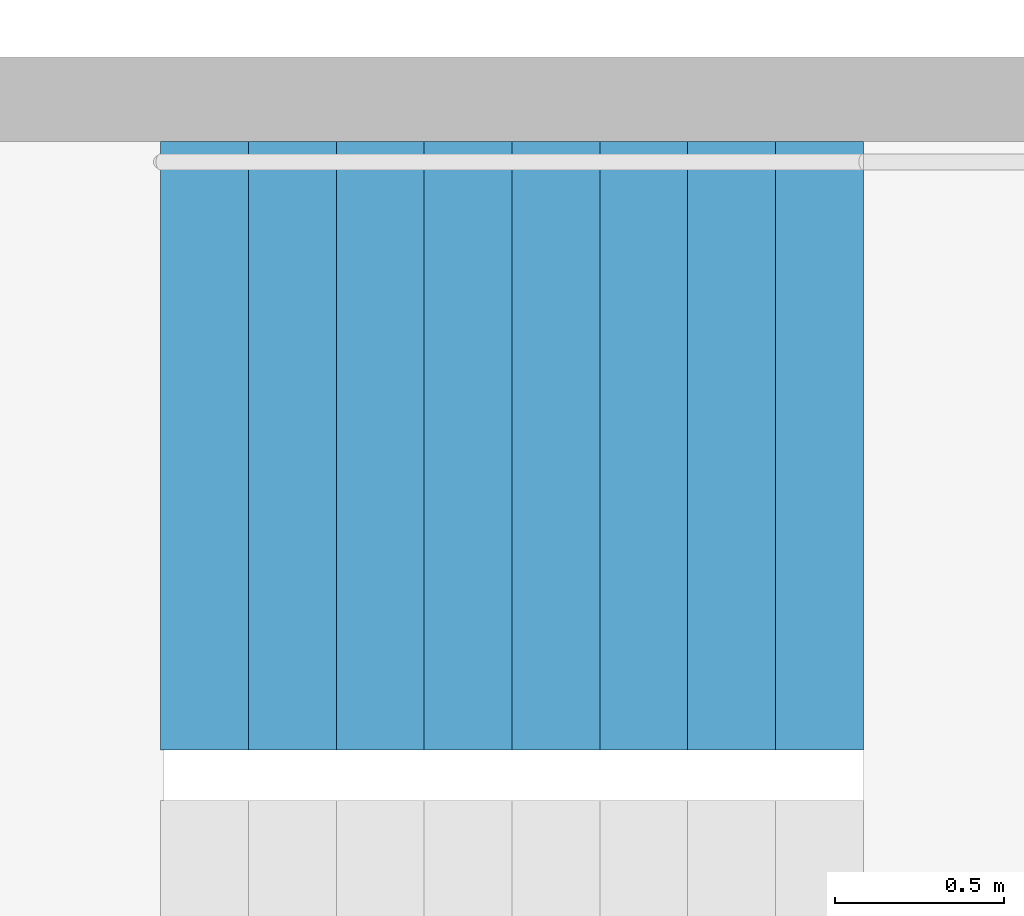
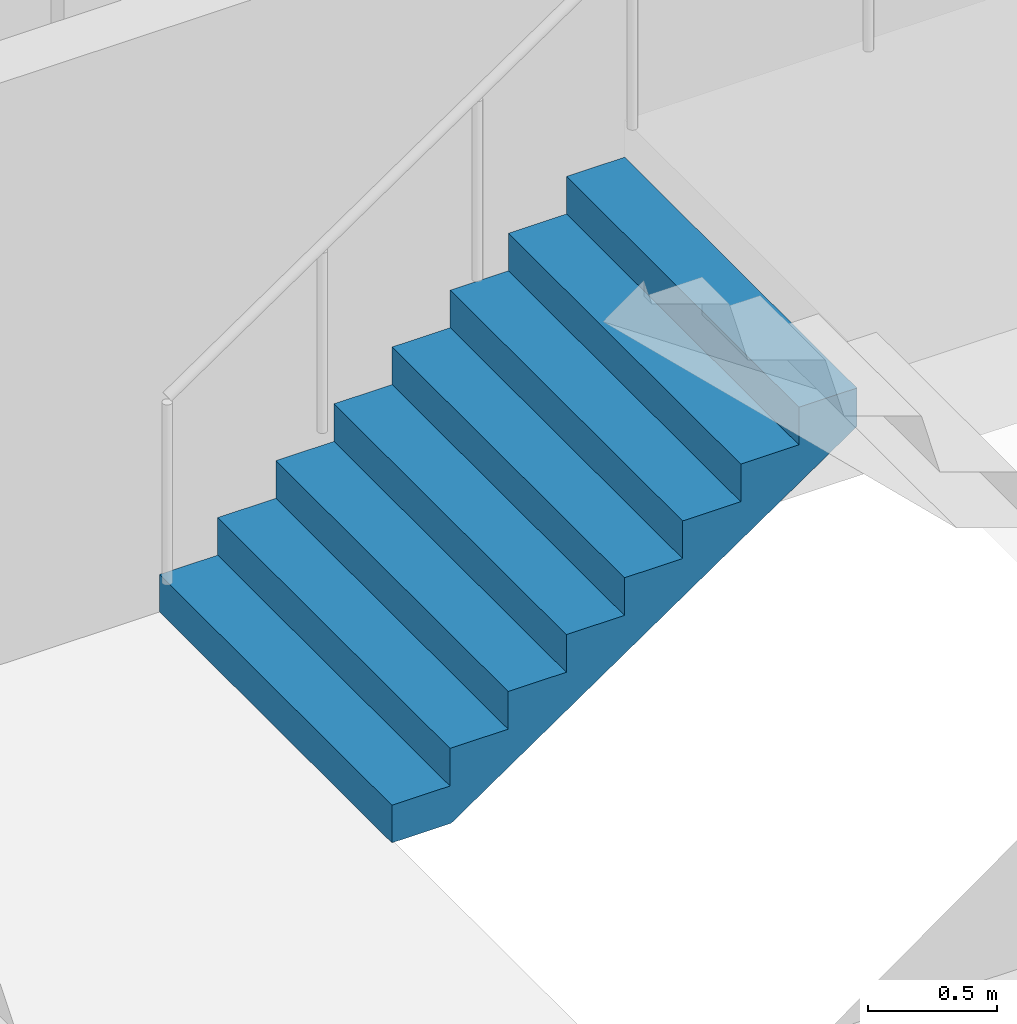
# One storey, part 23 of 26: 1 stair flight, 1 element without a shape of its own.
"""IFC4 building model written with IfcOpenShell, lengths in metres."""

from ifc_helpers import new_model, si_unit, direction, frame, origin, place, context, subcontext, project, spatial, triangles, material, type_object, element, aggregate, save


model = new_model("IFC4")

# Units and contexts
model_context = context("Model", 3, precision=1e-05, world=origin(), true_north=direction((0.0, 1.0)))
body_context = subcontext(model_context, "Body", "Model", "MODEL_VIEW")
ifc_project = project(units=[si_unit("LENGTHUNIT", "METRE"), si_unit("AREAUNIT", "SQUARE_METRE"), si_unit("VOLUMEUNIT", "CUBIC_METRE"), si_unit("PLANEANGLEUNIT", "RADIAN"), si_unit("MASSUNIT", "GRAM", prefix="KILO")], contexts=[model_context])

# Site, building, storey
site_placement = place(None, origin())
site = spatial("IfcSite", under=ifc_project, at=site_placement, CompositionType="ELEMENT")
building_placement = place(site_placement, origin())
building = spatial("IfcBuilding", under=site, at=building_placement, Name="Hakoniwa Tower and Hamabe Station Hall", CompositionType="ELEMENT")
storey_placement = place(building_placement, frame((0.0, 0.0, 196.199951171875)))
storey = spatial("IfcBuildingStorey", under=building, at=storey_placement, Name="L55", CompositionType="ELEMENT", Elevation=196.199951171875)

# Stair, stair flight
ifc_material_1 = material(Name="Concrete C40", Category="concrete")
stair_type = type_object("IfcStairType", Name="ESCAPE STAIR 1800", PredefinedType="HALF_TURN_STAIR", material=ifc_material_1)
stair_placement = place(storey_placement, origin())
stair = element("IfcStair", 1, at=stair_placement, inside=storey, type_object=stair_type, Name="Escape stair ST-4 L55", PredefinedType="HALF_TURN_STAIR")
ifc_material_2 = material(Name="Concrete C40", Category="concrete")
stair_flight_type = type_object("IfcStairFlightType", Name="STAIR FLIGHT 1800", PredefinedType="STRAIGHT", material=ifc_material_2)
stair_flight_placement = place(storey_placement, frame((23.39990234375, -4.64990234375, 0.0), z_axis=(0.0, 0.0, 1.0), x_axis=(1.0, 0.0, 0.0)))
stair_flight = element("IfcStairFlight", 2, at=stair_flight_placement, type_object=stair_flight_type, Name="ST-4 flight 1", NumberOfRisers=9, NumberOfTreads=8, PredefinedType="STRAIGHT", RiserHeight=0.177777778, TreadLength=0.26, context=body_context, shape_type="Tessellation", body=[
    triangles([(0.0, 0.89990234375, 0.0), (0.260009765625, 0.89990234375, 0.0), (0.265625, 0.89990234375, 0.0), (0.52001953125, 0.89990234375, 0.174072265625), (0.780029296875, 0.89990234375, 0.351806640625), (1.0400390625, 0.89990234375, 0.529541015625), (1.300048828125, 0.89990234375, 0.707275390625), (1.56005859375, 0.89990234375, 0.885009765625), (1.820068359375, 0.89990234375, 1.062744140625), (2.080078125, 0.89990234375, 1.24072265625), (2.080078125, 0.89990234375, 1.422119140625), (1.820068359375, 0.89990234375, 1.422119140625), (1.820068359375, 0.89990234375, 1.244384765625), (1.56005859375, 0.89990234375, 1.244384765625), (1.56005859375, 0.89990234375, 1.066650390625), (1.300048828125, 0.89990234375, 1.066650390625), (1.300048828125, 0.89990234375, 0.888916015625), (1.0400390625, 0.89990234375, 0.888916015625), (1.0400390625, 0.89990234375, 0.711181640625), (0.780029296875, 0.89990234375, 0.711181640625), (0.780029296875, 0.89990234375, 0.533447265625), (0.52001953125, 0.89990234375, 0.533447265625), (0.52001953125, 0.89990234375, 0.35546875), (0.265625, 0.89990234375, 0.35546875), (0.260009765625, 0.89990234375, 0.35546875), (0.260009765625, 0.89990234375, 0.177734375), (0.0, 0.89990234375, 0.177734375), (0.0, 0.06005859375, 0.0), (0.260009765625, 0.06005859375, 0.0), (0.265625, 0.06005859375, 0.0), (0.52001953125, 0.06005859375, 0.174072265625), (0.780029296875, 0.06005859375, 0.351806640625), (1.0400390625, 0.06005859375, 0.529541015625), (1.300048828125, 0.06005859375, 0.707275390625), (1.56005859375, 0.06005859375, 0.885009765625), (1.820068359375, 0.06005859375, 1.062744140625), (2.080078125, 0.06005859375, 1.24072265625), (2.080078125, 0.06005859375, 1.422119140625), (1.820068359375, 0.06005859375, 1.422119140625), (1.820068359375, 0.06005859375, 1.244384765625), (1.56005859375, 0.06005859375, 1.244384765625), (1.56005859375, 0.06005859375, 1.066650390625), (1.300048828125, 0.06005859375, 1.066650390625), (1.300048828125, 0.06005859375, 0.888916015625), (1.0400390625, 0.06005859375, 0.888916015625), (1.0400390625, 0.06005859375, 0.711181640625), (0.780029296875, 0.06005859375, 0.711181640625), (0.780029296875, 0.06005859375, 0.533447265625), (0.52001953125, 0.06005859375, 0.533447265625), (0.52001953125, 0.06005859375, 0.35546875), (0.265625, 0.06005859375, 0.35546875), (0.260009765625, 0.06005859375, 0.35546875), (0.260009765625, 0.06005859375, 0.177734375), (0.0, 0.06005859375, 0.177734375), (0.0, 0.04296875, 0.0), (0.260009765625, 0.04296875, 0.0), (0.265625, 0.04296875, 0.0), (0.52001953125, 0.04296875, 0.174072265625), (0.780029296875, 0.04296875, 0.351806640625), (1.0400390625, 0.04296875, 0.529541015625), (1.300048828125, 0.04296875, 0.707275390625), (1.56005859375, 0.04296875, 0.885009765625), (1.820068359375, 0.04296875, 1.062744140625), (2.080078125, 0.04296875, 1.24072265625), (2.080078125, 0.04296875, 1.422119140625), (1.820068359375, 0.04296875, 1.422119140625), (1.820068359375, 0.04296875, 1.244384765625), (1.56005859375, 0.04296875, 1.244384765625), (1.56005859375, 0.04296875, 1.066650390625), (1.300048828125, 0.04296875, 1.066650390625), (1.300048828125, 0.04296875, 0.888916015625), (1.0400390625, 0.04296875, 0.888916015625), (1.0400390625, 0.04296875, 0.711181640625), (0.780029296875, 0.04296875, 0.711181640625), (0.780029296875, 0.04296875, 0.533447265625), (0.52001953125, 0.04296875, 0.533447265625), (0.52001953125, 0.04296875, 0.35546875), (0.265625, 0.04296875, 0.35546875), (0.260009765625, 0.04296875, 0.35546875), (0.260009765625, 0.04296875, 0.177734375), (0.0, 0.04296875, 0.177734375), (0.0, 0.025634765625, 0.0), (0.260009765625, 0.025634765625, 0.0), (0.265625, 0.025634765625, 0.0), (0.52001953125, 0.025634765625, 0.174072265625), (0.780029296875, 0.025634765625, 0.351806640625), (1.0400390625, 0.025634765625, 0.529541015625), (1.300048828125, 0.025634765625, 0.707275390625), (1.56005859375, 0.025634765625, 0.885009765625), (1.820068359375, 0.025634765625, 1.062744140625), (2.080078125, 0.025634765625, 1.24072265625), (2.080078125, 0.025634765625, 1.422119140625), (1.820068359375, 0.025634765625, 1.422119140625), (1.820068359375, 0.025634765625, 1.244384765625), (1.56005859375, 0.025634765625, 1.244384765625), (1.56005859375, 0.025634765625, 1.066650390625), (1.300048828125, 0.025634765625, 1.066650390625), (1.300048828125, 0.025634765625, 0.888916015625), (1.0400390625, 0.025634765625, 0.888916015625), (1.0400390625, 0.025634765625, 0.711181640625), (0.780029296875, 0.025634765625, 0.711181640625), (0.780029296875, 0.025634765625, 0.533447265625), (0.52001953125, 0.025634765625, 0.533447265625), (0.52001953125, 0.025634765625, 0.35546875), (0.265625, 0.025634765625, 0.35546875), (0.260009765625, 0.025634765625, 0.35546875), (0.260009765625, 0.025634765625, 0.177734375), (0.0, 0.025634765625, 0.177734375), (0.0, 0.008544921875, 0.0), (0.260009765625, 0.008544921875, 0.0), (0.265625, 0.008544921875, 0.0), (0.52001953125, 0.008544921875, 0.174072265625), (0.780029296875, 0.008544921875, 0.351806640625), (1.0400390625, 0.008544921875, 0.529541015625), (1.300048828125, 0.008544921875, 0.707275390625), (1.56005859375, 0.008544921875, 0.885009765625), (1.820068359375, 0.008544921875, 1.062744140625), (2.080078125, 0.008544921875, 1.24072265625), (2.080078125, 0.008544921875, 1.422119140625), (1.820068359375, 0.008544921875, 1.422119140625), (1.820068359375, 0.008544921875, 1.244384765625), (1.56005859375, 0.008544921875, 1.244384765625), (1.56005859375, 0.008544921875, 1.066650390625), (1.300048828125, 0.008544921875, 1.066650390625), (1.300048828125, 0.008544921875, 0.888916015625), (1.0400390625, 0.008544921875, 0.888916015625), (1.0400390625, 0.008544921875, 0.711181640625), (0.780029296875, 0.008544921875, 0.711181640625), (0.780029296875, 0.008544921875, 0.533447265625), (0.52001953125, 0.008544921875, 0.533447265625), (0.52001953125, 0.008544921875, 0.35546875), (0.265625, 0.008544921875, 0.35546875), (0.260009765625, 0.008544921875, 0.35546875), (0.260009765625, 0.008544921875, 0.177734375), (0.0, 0.008544921875, 0.177734375), (0.0, -0.008544921875, 0.0), (0.260009765625, -0.008544921875, 0.0), (0.265625, -0.008544921875, 0.0), (0.52001953125, -0.008544921875, 0.174072265625), (0.780029296875, -0.008544921875, 0.351806640625), (1.0400390625, -0.008544921875, 0.529541015625), (1.300048828125, -0.008544921875, 0.707275390625), (1.56005859375, -0.008544921875, 0.885009765625), (1.820068359375, -0.008544921875, 1.062744140625), (2.080078125, -0.008544921875, 1.24072265625), (2.080078125, -0.008544921875, 1.422119140625), (1.820068359375, -0.008544921875, 1.422119140625), (1.820068359375, -0.008544921875, 1.244384765625), (1.56005859375, -0.008544921875, 1.244384765625), (1.56005859375, -0.008544921875, 1.066650390625), (1.300048828125, -0.008544921875, 1.066650390625), (1.300048828125, -0.008544921875, 0.888916015625), (1.0400390625, -0.008544921875, 0.888916015625), (1.0400390625, -0.008544921875, 0.711181640625), (0.780029296875, -0.008544921875, 0.711181640625), (0.780029296875, -0.008544921875, 0.533447265625), (0.52001953125, -0.008544921875, 0.533447265625), (0.52001953125, -0.008544921875, 0.35546875), (0.265625, -0.008544921875, 0.35546875), (0.260009765625, -0.008544921875, 0.35546875), (0.260009765625, -0.008544921875, 0.177734375), (0.0, -0.008544921875, 0.177734375), (0.0, -0.025634765625, 0.0), (0.260009765625, -0.025634765625, 0.0), (0.265625, -0.025634765625, 0.0), (0.52001953125, -0.025634765625, 0.174072265625), (0.780029296875, -0.025634765625, 0.351806640625), (1.0400390625, -0.025634765625, 0.529541015625), (1.300048828125, -0.025634765625, 0.707275390625), (1.56005859375, -0.025634765625, 0.885009765625), (1.820068359375, -0.025634765625, 1.062744140625), (2.080078125, -0.025634765625, 1.24072265625), (2.080078125, -0.025634765625, 1.422119140625), (1.820068359375, -0.025634765625, 1.422119140625), (1.820068359375, -0.025634765625, 1.244384765625), (1.56005859375, -0.025634765625, 1.244384765625), (1.56005859375, -0.025634765625, 1.066650390625), (1.300048828125, -0.025634765625, 1.066650390625), (1.300048828125, -0.025634765625, 0.888916015625), (1.0400390625, -0.025634765625, 0.888916015625), (1.0400390625, -0.025634765625, 0.711181640625), (0.780029296875, -0.025634765625, 0.711181640625), (0.780029296875, -0.025634765625, 0.533447265625), (0.52001953125, -0.025634765625, 0.533447265625), (0.52001953125, -0.025634765625, 0.35546875), (0.265625, -0.025634765625, 0.35546875), (0.260009765625, -0.025634765625, 0.35546875), (0.260009765625, -0.025634765625, 0.177734375), (0.0, -0.025634765625, 0.177734375), (0.0, -0.04296875, 0.0), (0.260009765625, -0.04296875, 0.0), (0.265625, -0.04296875, 0.0), (0.52001953125, -0.04296875, 0.174072265625), (0.780029296875, -0.04296875, 0.351806640625), (1.0400390625, -0.04296875, 0.529541015625), (1.300048828125, -0.04296875, 0.707275390625), (1.56005859375, -0.04296875, 0.885009765625), (1.820068359375, -0.04296875, 1.062744140625), (2.080078125, -0.04296875, 1.24072265625), (2.080078125, -0.04296875, 1.422119140625), (1.820068359375, -0.04296875, 1.422119140625), (1.820068359375, -0.04296875, 1.244384765625), (1.56005859375, -0.04296875, 1.244384765625), (1.56005859375, -0.04296875, 1.066650390625), (1.300048828125, -0.04296875, 1.066650390625), (1.300048828125, -0.04296875, 0.888916015625), (1.0400390625, -0.04296875, 0.888916015625), (1.0400390625, -0.04296875, 0.711181640625), (0.780029296875, -0.04296875, 0.711181640625), (0.780029296875, -0.04296875, 0.533447265625), (0.52001953125, -0.04296875, 0.533447265625), (0.52001953125, -0.04296875, 0.35546875), (0.265625, -0.04296875, 0.35546875), (0.260009765625, -0.04296875, 0.35546875), (0.260009765625, -0.04296875, 0.177734375), (0.0, -0.04296875, 0.177734375), (0.0, -0.06005859375, 0.0), (0.260009765625, -0.06005859375, 0.0), (0.265625, -0.06005859375, 0.0), (0.52001953125, -0.06005859375, 0.174072265625), (0.780029296875, -0.06005859375, 0.351806640625), (1.0400390625, -0.06005859375, 0.529541015625), (1.300048828125, -0.06005859375, 0.707275390625), (1.56005859375, -0.06005859375, 0.885009765625), (1.820068359375, -0.06005859375, 1.062744140625), (2.080078125, -0.06005859375, 1.24072265625), (2.080078125, -0.06005859375, 1.422119140625), (1.820068359375, -0.06005859375, 1.422119140625), (1.820068359375, -0.06005859375, 1.244384765625), (1.56005859375, -0.06005859375, 1.244384765625), (1.56005859375, -0.06005859375, 1.066650390625), (1.300048828125, -0.06005859375, 1.066650390625), (1.300048828125, -0.06005859375, 0.888916015625), (1.0400390625, -0.06005859375, 0.888916015625), (1.0400390625, -0.06005859375, 0.711181640625), (0.780029296875, -0.06005859375, 0.711181640625), (0.780029296875, -0.06005859375, 0.533447265625), (0.52001953125, -0.06005859375, 0.533447265625), (0.52001953125, -0.06005859375, 0.35546875), (0.265625, -0.06005859375, 0.35546875), (0.260009765625, -0.06005859375, 0.35546875), (0.260009765625, -0.06005859375, 0.177734375), (0.0, -0.06005859375, 0.177734375), (0.0, -0.89990234375, 0.0), (0.260009765625, -0.89990234375, 0.0), (0.265625, -0.89990234375, 0.0), (0.52001953125, -0.89990234375, 0.174072265625), (0.780029296875, -0.89990234375, 0.351806640625), (1.0400390625, -0.89990234375, 0.529541015625), (1.300048828125, -0.89990234375, 0.707275390625), (1.56005859375, -0.89990234375, 0.885009765625), (1.820068359375, -0.89990234375, 1.062744140625), (2.080078125, -0.89990234375, 1.24072265625), (2.080078125, -0.89990234375, 1.422119140625), (1.820068359375, -0.89990234375, 1.422119140625), (1.820068359375, -0.89990234375, 1.244384765625), (1.56005859375, -0.89990234375, 1.244384765625), (1.56005859375, -0.89990234375, 1.066650390625), (1.300048828125, -0.89990234375, 1.066650390625), (1.300048828125, -0.89990234375, 0.888916015625), (1.0400390625, -0.89990234375, 0.888916015625), (1.0400390625, -0.89990234375, 0.711181640625), (0.780029296875, -0.89990234375, 0.711181640625), (0.780029296875, -0.89990234375, 0.533447265625), (0.52001953125, -0.89990234375, 0.533447265625), (0.52001953125, -0.89990234375, 0.35546875), (0.265625, -0.89990234375, 0.35546875), (0.260009765625, -0.89990234375, 0.35546875), (0.260009765625, -0.89990234375, 0.177734375), (0.0, -0.89990234375, 0.177734375)], [[2, 27, 26], [245, 269, 270], [2, 1, 27], [245, 270, 244], [3, 25, 24], [246, 267, 268], [3, 26, 25], [246, 268, 269], [3, 2, 26], [246, 269, 245], [4, 24, 23], [247, 266, 267], [4, 3, 24], [247, 267, 246], [5, 22, 21], [248, 264, 265], [5, 23, 22], [248, 265, 266], [5, 4, 23], [248, 266, 247], [6, 20, 19], [249, 262, 263], [6, 21, 20], [249, 263, 264], [6, 5, 21], [249, 264, 248], [7, 18, 17], [250, 260, 261], [7, 19, 18], [250, 261, 262], [7, 6, 19], [250, 262, 249], [8, 16, 15], [251, 258, 259], [8, 17, 16], [251, 259, 260], [8, 7, 17], [251, 260, 250], [9, 14, 13], [252, 256, 257], [9, 15, 14], [252, 257, 258], [9, 8, 15], [252, 258, 251], [10, 12, 11], [253, 254, 255], [10, 13, 12], [253, 255, 256], [10, 9, 13], [253, 256, 252], [1, 2, 29], [1, 29, 28], [28, 29, 56], [28, 56, 55], [55, 56, 83], [55, 83, 82], [82, 83, 110], [82, 110, 109], [109, 110, 137], [109, 137, 136], [136, 137, 164], [136, 164, 163], [163, 164, 191], [163, 191, 190], [190, 191, 218], [190, 218, 217], [217, 218, 245], [217, 245, 244], [2, 3, 30], [2, 30, 29], [29, 30, 57], [29, 57, 56], [56, 57, 84], [56, 84, 83], [83, 84, 111], [83, 111, 110], [110, 111, 138], [110, 138, 137], [137, 138, 165], [137, 165, 164], [164, 165, 192], [164, 192, 191], [191, 192, 219], [191, 219, 218], [218, 219, 246], [218, 246, 245], [3, 4, 31], [3, 31, 30], [30, 31, 58], [30, 58, 57], [57, 58, 85], [57, 85, 84], [84, 85, 112], [84, 112, 111], [111, 112, 139], [111, 139, 138], [138, 139, 166], [138, 166, 165], [165, 166, 193], [165, 193, 192], [192, 193, 220], [192, 220, 219], [219, 220, 247], [219, 247, 246], [4, 5, 32], [4, 32, 31], [31, 32, 59], [31, 59, 58], [58, 59, 86], [58, 86, 85], [85, 86, 113], [85, 113, 112], [112, 113, 140], [112, 140, 139], [139, 140, 167], [139, 167, 166], [166, 167, 194], [166, 194, 193], [193, 194, 221], [193, 221, 220], [220, 221, 248], [220, 248, 247], [5, 6, 33], [5, 33, 32], [32, 33, 60], [32, 60, 59], [59, 60, 87], [59, 87, 86], [86, 87, 114], [86, 114, 113], [113, 114, 141], [113, 141, 140], [140, 141, 168], [140, 168, 167], [167, 168, 195], [167, 195, 194], [194, 195, 222], [194, 222, 221], [221, 222, 249], [221, 249, 248], [6, 7, 34], [6, 34, 33], [33, 34, 61], [33, 61, 60], [60, 61, 88], [60, 88, 87], [87, 88, 115], [87, 115, 114], [114, 115, 142], [114, 142, 141], [141, 142, 169], [141, 169, 168], [168, 169, 196], [168, 196, 195], [195, 196, 223], [195, 223, 222], [222, 223, 250], [222, 250, 249], [7, 8, 35], [7, 35, 34], [34, 35, 62], [34, 62, 61], [61, 62, 89], [61, 89, 88], [88, 89, 116], [88, 116, 115], [115, 116, 143], [115, 143, 142], [142, 143, 170], [142, 170, 169], [169, 170, 197], [169, 197, 196], [196, 197, 224], [196, 224, 223], [223, 224, 251], [223, 251, 250], [8, 9, 36], [8, 36, 35], [35, 36, 63], [35, 63, 62], [62, 63, 90], [62, 90, 89], [89, 90, 117], [89, 117, 116], [116, 117, 144], [116, 144, 143], [143, 144, 171], [143, 171, 170], [170, 171, 198], [170, 198, 197], [197, 198, 225], [197, 225, 224], [224, 225, 252], [224, 252, 251], [9, 10, 37], [9, 37, 36], [36, 37, 64], [36, 64, 63], [63, 64, 91], [63, 91, 90], [90, 91, 118], [90, 118, 117], [117, 118, 145], [117, 145, 144], [144, 145, 172], [144, 172, 171], [171, 172, 199], [171, 199, 198], [198, 199, 226], [198, 226, 225], [225, 226, 253], [225, 253, 252], [10, 11, 38], [10, 38, 37], [37, 38, 65], [37, 65, 64], [64, 65, 92], [64, 92, 91], [91, 92, 119], [91, 119, 118], [118, 119, 146], [118, 146, 145], [145, 146, 173], [145, 173, 172], [172, 173, 200], [172, 200, 199], [199, 200, 227], [199, 227, 226], [226, 227, 254], [226, 254, 253], [11, 12, 39], [11, 39, 38], [38, 39, 66], [38, 66, 65], [65, 66, 93], [65, 93, 92], [92, 93, 120], [92, 120, 119], [119, 120, 147], [119, 147, 146], [146, 147, 174], [146, 174, 173], [173, 174, 201], [173, 201, 200], [200, 201, 228], [200, 228, 227], [227, 228, 255], [227, 255, 254], [12, 13, 40], [12, 40, 39], [39, 40, 67], [39, 67, 66], [66, 67, 94], [66, 94, 93], [93, 94, 121], [93, 121, 120], [120, 121, 148], [120, 148, 147], [147, 148, 175], [147, 175, 174], [174, 175, 202], [174, 202, 201], [201, 202, 229], [201, 229, 228], [228, 229, 256], [228, 256, 255], [13, 14, 41], [13, 41, 40], [40, 41, 68], [40, 68, 67], [67, 68, 95], [67, 95, 94], [94, 95, 122], [94, 122, 121], [121, 122, 149], [121, 149, 148], [148, 149, 176], [148, 176, 175], [175, 176, 203], [175, 203, 202], [202, 203, 230], [202, 230, 229], [229, 230, 257], [229, 257, 256], [14, 15, 42], [14, 42, 41], [41, 42, 69], [41, 69, 68], [68, 69, 96], [68, 96, 95], [95, 96, 123], [95, 123, 122], [122, 123, 150], [122, 150, 149], [149, 150, 177], [149, 177, 176], [176, 177, 204], [176, 204, 203], [203, 204, 231], [203, 231, 230], [230, 231, 258], [230, 258, 257], [15, 16, 43], [15, 43, 42], [42, 43, 70], [42, 70, 69], [69, 70, 97], [69, 97, 96], [96, 97, 124], [96, 124, 123], [123, 124, 151], [123, 151, 150], [150, 151, 178], [150, 178, 177], [177, 178, 205], [177, 205, 204], [204, 205, 232], [204, 232, 231], [231, 232, 259], [231, 259, 258], [16, 17, 44], [16, 44, 43], [43, 44, 71], [43, 71, 70], [70, 71, 98], [70, 98, 97], [97, 98, 125], [97, 125, 124], [124, 125, 152], [124, 152, 151], [151, 152, 179], [151, 179, 178], [178, 179, 206], [178, 206, 205], [205, 206, 233], [205, 233, 232], [232, 233, 260], [232, 260, 259], [17, 18, 45], [17, 45, 44], [44, 45, 72], [44, 72, 71], [71, 72, 99], [71, 99, 98], [98, 99, 126], [98, 126, 125], [125, 126, 153], [125, 153, 152], [152, 153, 180], [152, 180, 179], [179, 180, 207], [179, 207, 206], [206, 207, 234], [206, 234, 233], [233, 234, 261], [233, 261, 260], [18, 19, 46], [18, 46, 45], [45, 46, 73], [45, 73, 72], [72, 73, 100], [72, 100, 99], [99, 100, 127], [99, 127, 126], [126, 127, 154], [126, 154, 153], [153, 154, 181], [153, 181, 180], [180, 181, 208], [180, 208, 207], [207, 208, 235], [207, 235, 234], [234, 235, 262], [234, 262, 261], [19, 20, 47], [19, 47, 46], [46, 47, 74], [46, 74, 73], [73, 74, 101], [73, 101, 100], [100, 101, 128], [100, 128, 127], [127, 128, 155], [127, 155, 154], [154, 155, 182], [154, 182, 181], [181, 182, 209], [181, 209, 208], [208, 209, 236], [208, 236, 235], [235, 236, 263], [235, 263, 262], [20, 21, 48], [20, 48, 47], [47, 48, 75], [47, 75, 74], [74, 75, 102], [74, 102, 101], [101, 102, 129], [101, 129, 128], [128, 129, 156], [128, 156, 155], [155, 156, 183], [155, 183, 182], [182, 183, 210], [182, 210, 209], [209, 210, 237], [209, 237, 236], [236, 237, 264], [236, 264, 263], [21, 22, 49], [21, 49, 48], [48, 49, 76], [48, 76, 75], [75, 76, 103], [75, 103, 102], [102, 103, 130], [102, 130, 129], [129, 130, 157], [129, 157, 156], [156, 157, 184], [156, 184, 183], [183, 184, 211], [183, 211, 210], [210, 211, 238], [210, 238, 237], [237, 238, 265], [237, 265, 264], [22, 23, 50], [22, 50, 49], [49, 50, 77], [49, 77, 76], [76, 77, 104], [76, 104, 103], [103, 104, 131], [103, 131, 130], [130, 131, 158], [130, 158, 157], [157, 158, 185], [157, 185, 184], [184, 185, 212], [184, 212, 211], [211, 212, 239], [211, 239, 238], [238, 239, 266], [238, 266, 265], [23, 24, 51], [23, 51, 50], [50, 51, 78], [50, 78, 77], [77, 78, 105], [77, 105, 104], [104, 105, 132], [104, 132, 131], [131, 132, 159], [131, 159, 158], [158, 159, 186], [158, 186, 185], [185, 186, 213], [185, 213, 212], [212, 213, 240], [212, 240, 239], [239, 240, 267], [239, 267, 266], [24, 25, 52], [24, 52, 51], [51, 52, 79], [51, 79, 78], [78, 79, 106], [78, 106, 105], [105, 106, 133], [105, 133, 132], [132, 133, 160], [132, 160, 159], [159, 160, 187], [159, 187, 186], [186, 187, 214], [186, 214, 213], [213, 214, 241], [213, 241, 240], [240, 241, 268], [240, 268, 267], [25, 26, 53], [25, 53, 52], [52, 53, 80], [52, 80, 79], [79, 80, 107], [79, 107, 106], [106, 107, 134], [106, 134, 133], [133, 134, 161], [133, 161, 160], [160, 161, 188], [160, 188, 187], [187, 188, 215], [187, 215, 214], [214, 215, 242], [214, 242, 241], [241, 242, 269], [241, 269, 268], [26, 27, 54], [26, 54, 53], [53, 54, 81], [53, 81, 80], [80, 81, 108], [80, 108, 107], [107, 108, 135], [107, 135, 134], [134, 135, 162], [134, 162, 161], [161, 162, 189], [161, 189, 188], [188, 189, 216], [188, 216, 215], [215, 216, 243], [215, 243, 242], [242, 243, 270], [242, 270, 269], [27, 1, 28], [27, 28, 54], [54, 28, 55], [54, 55, 81], [81, 55, 82], [81, 82, 108], [108, 82, 109], [108, 109, 135], [135, 109, 136], [135, 136, 162], [162, 136, 163], [162, 163, 189], [189, 163, 190], [189, 190, 216], [216, 190, 217], [216, 217, 243], [243, 217, 244], [243, 244, 270]], closed=True),
])
aggregate(stair, [stair_flight])

save(model, "model.ifc")
